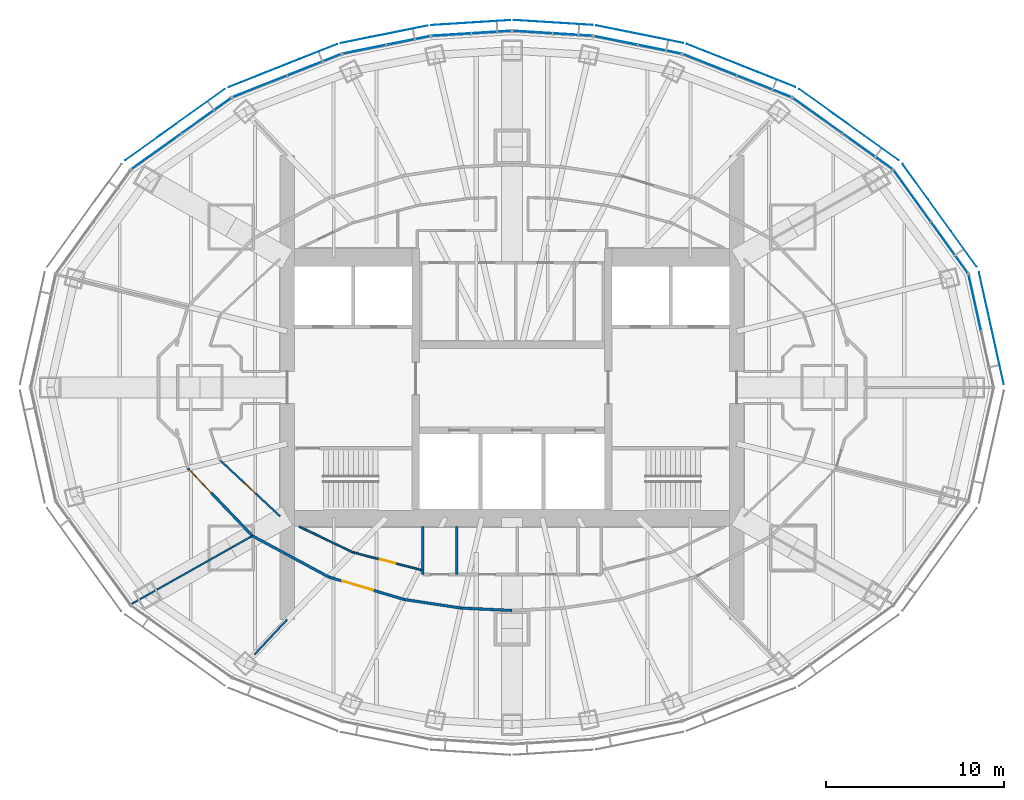
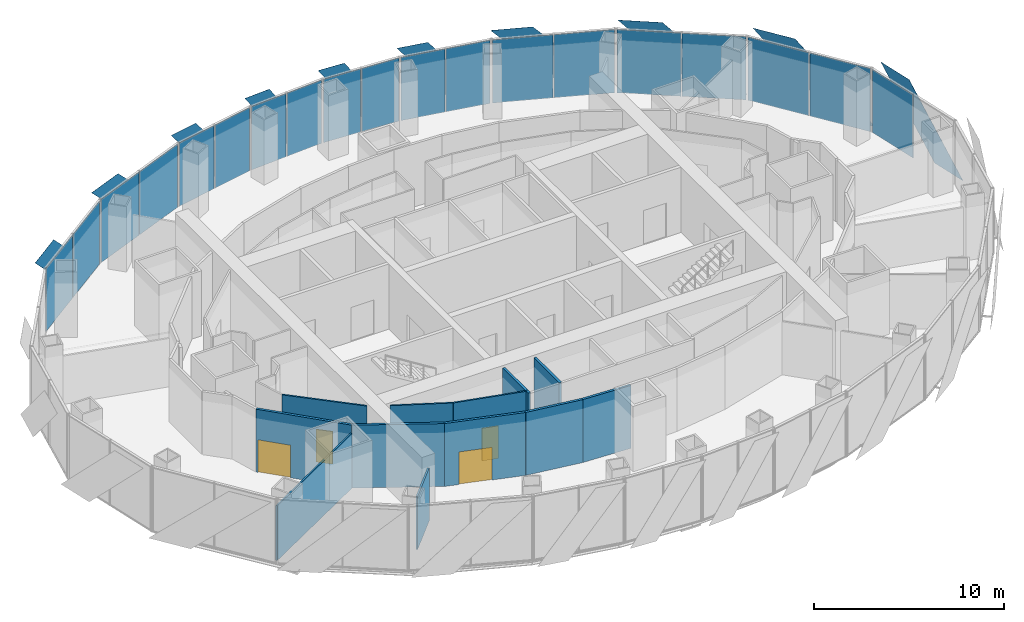
# One storey, part 11 of 17: 29 plates, 12 walls, 4 doors, 4 openings, 10 elements without a shape of their own.
"""IFC4 building model written with IfcOpenShell, lengths in metres."""

import ifcopenshell
import ifcopenshell.guid

model = None  # the IFC model being written
_history = None  # IfcOwnerHistory: only IFC2X3 demands one
_inside = {}  # id of a spatial element -> (the spatial element, [elements in it])
_under = {}  # id of a project, library or spatial element -> (it, [spatial elements below it])
_declared = {}  # id of a project -> (the project, [libraries it declares])
_typed = {}  # id of a type object -> (the type object, [elements of that type])
_made_of = {}  # id of a material, layer set ... -> (it, [elements and type objects made of it])


def new_model(schema):
    """Start an empty IFC model of exactly this schema.

    Asked for "IFC4X3", IfcOpenShell would pick the latest addendum, in which some entities
    have other attributes; the version numbers below select the first issue.
    IFC2X3 requires an IfcOwnerHistory on every rooted entity: one is made here for all.
    """
    global model, _history
    if schema == "IFC4X3":
        model = ifcopenshell.file(schema_version=(4, 3, 0, 0))
    else:
        model = ifcopenshell.file(schema=schema)
    _inside.clear()
    _under.clear()
    _declared.clear()
    _typed.clear()
    _made_of.clear()
    _history = None
    if model.schema == "IFC2X3":
        org = make("IfcOrganization", Name="unknown")
        user = make(
            "IfcPersonAndOrganization",
            ThePerson=make("IfcPerson", FamilyName="unknown"),
            TheOrganization=org,
        )
        app = make(
            "IfcApplication",
            ApplicationDeveloper=org,
            Version="unknown",
            ApplicationFullName="unknown",
            ApplicationIdentifier="unknown",
        )
        _history = make(
            "IfcOwnerHistory",
            OwningUser=user,
            OwningApplication=app,
            ChangeAction="ADDED",
            CreationDate=0,
        )
    return model


def make(cls, **values):
    """One entity of the class cls with the attributes given. An attribute that is None is left unset."""
    return model.create_entity(
        cls, **{name: value for name, value in values.items() if value is not None}
    )


def rooted(cls, **values):
    """An entity with a GlobalId (a new one), such as an element, a storey or a relation."""
    return make(cls, GlobalId=ifcopenshell.guid.new(), OwnerHistory=_history, **values)


def si_unit(unit_type, name, prefix=None):
    """IfcSIUnit, for example si_unit("LENGTHUNIT", "METRE", prefix="MILLI")."""
    return make("IfcSIUnit", UnitType=unit_type, Prefix=prefix, Name=name)


def assignment(units):
    """IfcUnitAssignment: the units of a project."""
    return None if units is None else make("IfcUnitAssignment", Units=units)


def point(xyz):
    """IfcCartesianPoint."""
    return None if xyz is None else make("IfcCartesianPoint", Coordinates=xyz)


def direction(xyz):
    """IfcDirection."""
    return None if xyz is None else make("IfcDirection", DirectionRatios=xyz)


def frame(location, z_axis=None, x_axis=None):
    """IfcAxis2Placement3D, a coordinate frame: its origin and axes. An axis left out is left unset."""
    return make(
        "IfcAxis2Placement3D",
        Location=point(location),
        Axis=direction(z_axis),
        RefDirection=direction(x_axis),
    )


def frame_2d(location, x_axis=None):
    """IfcAxis2Placement2D, a coordinate frame in the plane: its origin and x axis."""
    return make(
        "IfcAxis2Placement2D", Location=point(location), RefDirection=direction(x_axis)
    )


def origin():
    """The frame at (0, 0, 0) with its axes left unset."""
    return frame((0.0, 0.0, 0.0))


def origin_2d():
    """The frame at (0, 0) in the plane with its x axis left unset."""
    return frame_2d((0.0, 0.0))


def place(relative_to, where):
    """IfcLocalPlacement: puts the frame where relative to a parent placement (None: the world)."""
    return make(
        "IfcLocalPlacement", PlacementRelTo=relative_to, RelativePlacement=where
    )


def context(
    kind, dimensions, precision=None, world=None, true_north=None, identifier=None
):
    """IfcGeometricRepresentationContext, for example the 3D "Model" context."""
    return make(
        "IfcGeometricRepresentationContext",
        ContextIdentifier=identifier,
        ContextType=kind,
        CoordinateSpaceDimension=dimensions,
        Precision=precision,
        WorldCoordinateSystem=world,
        TrueNorth=true_north,
    )


def subcontext(parent, identifier, kind, view, scale=None):
    """IfcGeometricRepresentationSubContext, for example "Body" below "Model"."""
    return make(
        "IfcGeometricRepresentationSubContext",
        ContextIdentifier=identifier,
        ContextType=kind,
        ParentContext=parent,
        TargetScale=scale,
        TargetView=view,
    )


def project(units=None, contexts=None):
    """IfcProject with its units and contexts."""
    return rooted(
        "IfcProject",
        Name="project",
        RepresentationContexts=contexts,
        UnitsInContext=assignment(units),
    )


def spatial(cls, under=None, at=None, **own):
    """A site, building, storey or space (cls), placed at a placement, below another one or the project."""
    s = rooted(cls, ObjectPlacement=at, **own)
    if under is not None:
        _under.setdefault(under.id(), (under, []))[1].append(s)
    return s


def polyline(points):
    """IfcPolyline through the points."""
    return make("IfcPolyline", Points=[point(p) for p in points])


def profile(cls, at=None, kind="AREA", **sizes):
    """A parametric profile (cls). Its sizes go by their IFC names, for example OverallWidth=200.0."""
    return make(cls, ProfileType=kind, Position=at, **sizes)


def rectangle(**sizes):
    """IfcRectangleProfileDef."""
    return profile("IfcRectangleProfileDef", **sizes)


def outline(outer, holes=None, kind="AREA"):
    """IfcArbitraryClosedProfileDef: a profile drawn as a closed curve; with holes, ...WithVoids."""
    if holes is None:
        return make("IfcArbitraryClosedProfileDef", ProfileType=kind, OuterCurve=outer)
    return make(
        "IfcArbitraryProfileDefWithVoids",
        ProfileType=kind,
        OuterCurve=outer,
        InnerCurves=holes,
    )


def extrude(swept, where, along, depth):
    """IfcExtrudedAreaSolid: the profile swept, set in the frame where, extruded along a direction by depth."""
    return make(
        "IfcExtrudedAreaSolid",
        SweptArea=swept,
        Position=where,
        ExtrudedDirection=direction(along),
        Depth=depth,
    )


def shape(context_of_items, identifier, shape_type, items):
    """IfcShapeRepresentation: the items that make up one representation, for example the "Body"."""
    return make(
        "IfcShapeRepresentation",
        ContextOfItems=context_of_items,
        RepresentationIdentifier=identifier,
        RepresentationType=shape_type,
        Items=items,
    )


def material(Name=None, Category=None):
    """IfcMaterial."""
    return make("IfcMaterial", Name=Name, Category=Category)


def layer(
    of_material, thickness, ventilated=None, Name=None, Category=None, Priority=None
):
    """IfcMaterialLayer: one layer of a wall or slab, of a material (None: an air gap)."""
    return make(
        "IfcMaterialLayer",
        Material=of_material,
        LayerThickness=thickness,
        IsVentilated=ventilated,
        Name=Name,
        Category=Category,
        Priority=Priority,
    )


def layer_set(layers, Name=None):
    """IfcMaterialLayerSet."""
    return make("IfcMaterialLayerSet", MaterialLayers=layers, LayerSetName=Name)


def made_of(thing, what):
    """Note that an element or type object is made of a material, layer set ...; save() writes the relation."""
    if what is not None:
        _made_of.setdefault(what.id(), (what, []))[1].append(thing)
    return thing


def type_object(cls, material=None, **own):
    """A type object (cls), such as IfcWallType, which elements share."""
    return made_of(rooted(cls, **own), material)


def element(
    cls,
    number,
    at=None,
    inside=None,
    cuts=None,
    type_object=None,
    material=None,
    context=None,
    identifier="Body",
    shape_type=None,
    held_by="IfcProductDefinitionShape",
    body=None,
    shapes=None,
    **own,
):
    """One element of the class cls, such as IfcWall. Its Tag is "e" and its number.

    at: its placement. inside: the storey or other place that contains it. cuts: it is an
    opening in that element (IfcRelVoidsElement). A single representation is given by context,
    identifier, shape_type and body (its items); several are given by shapes. held_by: the class
    of the entity that holds the representations. save() writes the other relations.
    """
    e = rooted(cls, Tag="e%d" % number, ObjectPlacement=at, **own)
    if body is not None:
        shapes = [shape(context, identifier, shape_type, body)]
    if shapes is not None:
        e.Representation = make(held_by, Representations=shapes)
    if inside is not None:
        _inside.setdefault(inside.id(), (inside, []))[1].append(e)
    if cuts is not None:
        rooted(
            "IfcRelVoidsElement", RelatingBuildingElement=cuts, RelatedOpeningElement=e
        )
    if type_object is not None:
        _typed.setdefault(type_object.id(), (type_object, []))[1].append(e)
    return made_of(e, material)


def fill(opening, filler):
    """IfcRelFillsElement: the door or window that sits in an opening."""
    return rooted(
        "IfcRelFillsElement",
        RelatingOpeningElement=opening,
        RelatedBuildingElement=filler,
    )


def aggregate(whole, parts):
    """IfcRelAggregates: a whole, such as a stair, and the parts it consists of."""
    return rooted("IfcRelAggregates", RelatingObject=whole, RelatedObjects=parts)


def save(model, path):
    """Write the relations noted so far, then the file.

    IfcRelAggregates (storeys below a building ...), IfcRelContainedInSpatialStructure (elements
    in a storey), IfcRelDefinesByType, IfcRelAssociatesMaterial and IfcRelDeclares: one each for
    every whole, place, type object, material and project.
    """
    for whole, parts in _under.values():
        aggregate(whole, parts)
    for where, things in _inside.values():
        rooted(
            "IfcRelContainedInSpatialStructure",
            RelatedElements=things,
            RelatingStructure=where,
        )
    for kind, things in _typed.values():
        rooted("IfcRelDefinesByType", RelatedObjects=things, RelatingType=kind)
    for what, things in _made_of.values():
        rooted("IfcRelAssociatesMaterial", RelatedObjects=things, RelatingMaterial=what)
    for by, libraries in _declared.values():
        rooted("IfcRelDeclares", RelatingContext=by, RelatedDefinitions=libraries)
    model.write(path)


model = new_model("IFC4")

# Units and contexts
model_context = context("Model", 3, precision=1e-05, world=origin(), true_north=direction((0.0, 1.0)))
body_context = subcontext(model_context, "Body", "Model", "MODEL_VIEW")
ifc_project = project(units=[si_unit("LENGTHUNIT", "METRE"), si_unit("AREAUNIT", "SQUARE_METRE"), si_unit("VOLUMEUNIT", "CUBIC_METRE"), si_unit("PLANEANGLEUNIT", "RADIAN"), si_unit("MASSUNIT", "GRAM", prefix="KILO")], contexts=[model_context])

# Site, building, storey
site_placement = place(None, origin())
site = spatial("IfcSite", under=ifc_project, at=site_placement, CompositionType="ELEMENT")
building_placement = place(site_placement, origin())
building = spatial("IfcBuilding", under=site, at=building_placement, Name="Lantaw Convention Tower", CompositionType="ELEMENT")
storey_placement = place(building_placement, frame((0.0, 0.0, 203.199951171875)))
storey = spatial("IfcBuildingStorey", under=building, at=storey_placement, Name="L47", CompositionType="ELEMENT", Elevation=203.199951171875)

# Curtain wall, plate
ifc_material_1 = material(Name="Aluminium framed curtain wall", Category="aluminium")
curtain_wall_type = type_object("IfcCurtainWallType", Name="Office curtain wall high rise, pale aluminium", PredefinedType="USERDEFINED", material=ifc_material_1)
curtain_wall_1_placement = place(storey_placement, origin())
curtain_wall_1 = element("IfcCurtainWall", 1, at=curtain_wall_1_placement, inside=storey, type_object=curtain_wall_type, Name="Office curtain wall high rise, pale aluminium L47", ObjectType="UNITISED CURTAIN WALL", PredefinedType="USERDEFINED")
ifc_material_2 = material(Name="Clear insulating glass", Category="glass")
ifc_layer_1 = layer(ifc_material_2, 0.028076171875)
ifc_layer_set_1 = layer_set([ifc_layer_1], Name="CW-O2 panel 28")
plate_type_1 = type_object("IfcPlateType", Name="CW-O2 panel 28", PredefinedType="CURTAIN_PANEL", material=ifc_layer_set_1)
plate_1_placement = place(storey_placement, frame((25.945556640625, 4.769287109375, -0.0849609375), z_axis=(0.0, 0.0, 1.0), x_axis=(-0.215891333626, 0.976417396437, 0.0)))
plate_1 = element("IfcPlate", 2, at=plate_1_placement, type_object=plate_type_1, Name="CW-O2 panel 2.1", PredefinedType="CURTAIN_PANEL", context=body_context, shape_type="SweptSolid", body=[
    extrude(rectangle(XDim=3.169677734375, YDim=0.028076171875, at=origin_2d()), origin(), (0.0, 0.0, 1.0), 4.070068359375),
])
aggregate(curtain_wall_1, [plate_1])

# Curtain wall, plates
curtain_wall_2_placement = place(storey_placement, origin())
curtain_wall_2 = element("IfcCurtainWall", 3, at=curtain_wall_2_placement, inside=storey, type_object=curtain_wall_type, Name="Office curtain wall high rise, pale aluminium L47", ObjectType="UNITISED CURTAIN WALL", PredefinedType="USERDEFINED")
plate_2_placement = place(storey_placement, frame((24.527099609375, 7.852294921875, -0.0849609375), z_axis=(0.0, 0.0, 1.0), x_axis=(-0.585157643865, 0.810919559405, 0.0)))
plate_2 = element("IfcPlate", 4, at=plate_2_placement, type_object=plate_type_1, Name="CW-O2 panel 1.1", PredefinedType="CURTAIN_PANEL", context=body_context, shape_type="SweptSolid", body=[
    extrude(rectangle(XDim=3.500732421875, YDim=0.028076171875, at=origin_2d()), origin(), (0.0, 0.0, 1.0), 4.070068359375),
])
plate_3_placement = place(storey_placement, frame((22.4404296875, 10.743896484375, -0.0849609375), z_axis=(0.0, 0.0, 1.0), x_axis=(-0.585157643865, 0.810919559405, 0.0)))
plate_3 = element("IfcPlate", 5, at=plate_3_placement, type_object=plate_type_1, Name="CW-O2 panel 2.1", PredefinedType="CURTAIN_PANEL", context=body_context, shape_type="SweptSolid", body=[
    extrude(rectangle(XDim=3.500732421875, YDim=0.028076171875, at=origin_2d()), origin(), (0.0, 0.0, 1.0), 4.070068359375),
])
aggregate(curtain_wall_2, [plate_2, plate_3])

curtain_wall_3_placement = place(storey_placement, origin())
curtain_wall_3 = element("IfcCurtainWall", 6, at=curtain_wall_3_placement, inside=storey, type_object=curtain_wall_type, Name="Office curtain wall high rise, pale aluminium L47", ObjectType="UNITISED CURTAIN WALL", PredefinedType="USERDEFINED")
plate_4_placement = place(storey_placement, frame((19.947509765625, 13.23828125, -0.0849609375), z_axis=(0.0, 0.0, 1.0), x_axis=(-0.813672540482, 0.581323487281, 0.0)))
plate_4 = element("IfcPlate", 7, at=plate_4_placement, type_object=plate_type_1, Name="CW-O2 panel 1.1", PredefinedType="CURTAIN_PANEL", context=body_context, shape_type="SweptSolid", body=[
    extrude(rectangle(XDim=3.386474609375, YDim=0.028076171875, at=origin_2d()), origin(), (0.0, 0.0, 1.0), 4.070068359375),
])
plate_5_placement = place(storey_placement, frame((17.13916015625, 15.24462890625, -0.0849609375), z_axis=(0.0, 0.0, 1.0), x_axis=(-0.813672540482, 0.581323487281, 0.0)))
plate_5 = element("IfcPlate", 8, at=plate_5_placement, type_object=plate_type_1, Name="CW-O2 panel 2.1", PredefinedType="CURTAIN_PANEL", context=body_context, shape_type="SweptSolid", body=[
    extrude(rectangle(XDim=3.386474609375, YDim=0.028076171875, at=origin_2d()), origin(), (0.0, 0.0, 1.0), 4.070068359375),
])
aggregate(curtain_wall_3, [plate_4, plate_5])

curtain_wall_4_placement = place(storey_placement, origin())
curtain_wall_4 = element("IfcCurtainWall", 9, at=curtain_wall_4_placement, inside=storey, type_object=curtain_wall_type, Name="Office curtain wall high rise, pale aluminium L47", ObjectType="UNITISED CURTAIN WALL", PredefinedType="USERDEFINED")
plate_6_placement = place(storey_placement, frame((14.14990234375, 16.8837890625, -0.0849609375), z_axis=(0.0, 0.0, 1.0), x_axis=(-0.929761533743, 0.368162315252, 0.0)))
plate_6 = element("IfcPlate", 10, at=plate_6_placement, type_object=plate_type_1, Name="CW-O2 panel 1.1", PredefinedType="CURTAIN_PANEL", context=body_context, shape_type="SweptSolid", body=[
    extrude(rectangle(XDim=3.222900390625, YDim=0.028076171875, at=origin_2d()), origin(), (0.0, 0.0, 1.0), 4.070068359375),
])
plate_7_placement = place(storey_placement, frame((11.0927734375, 18.094482421875, -0.0849609375), z_axis=(0.0, 0.0, 1.0), x_axis=(-0.929761533743, 0.368162315252, 0.0)))
plate_7 = element("IfcPlate", 11, at=plate_7_placement, type_object=plate_type_1, Name="CW-O2 panel 2.1", PredefinedType="CURTAIN_PANEL", context=body_context, shape_type="SweptSolid", body=[
    extrude(rectangle(XDim=3.222900390625, YDim=0.028076171875, at=origin_2d()), origin(), (0.0, 0.0, 1.0), 4.070068359375),
])
aggregate(curtain_wall_4, [plate_6, plate_7])

curtain_wall_5_placement = place(storey_placement, origin())
curtain_wall_5 = element("IfcCurtainWall", 12, at=curtain_wall_5_placement, inside=storey, type_object=curtain_wall_type, Name="Office curtain wall high rise, pale aluminium L47", ObjectType="UNITISED CURTAIN WALL", PredefinedType="USERDEFINED")
plate_8_placement = place(storey_placement, frame((8.2724609375, 18.96533203125, -0.0849609375), z_axis=(0.0, 0.0, 1.0), x_axis=(-0.980366679695, 0.197183095987, 0.0)))
plate_8 = element("IfcPlate", 13, at=plate_8_placement, type_object=plate_type_1, Name="CW-O2 panel 1.1", PredefinedType="CURTAIN_PANEL", context=body_context, shape_type="SweptSolid", body=[
    extrude(rectangle(XDim=2.44384765625, YDim=0.028076171875, at=origin_2d()), origin(), (0.0, 0.0, 1.0), 4.070068359375),
])
plate_9_placement = place(storey_placement, frame((5.81298828125, 19.4599609375, -0.0849609375), z_axis=(0.0, 0.0, 1.0), x_axis=(-0.980366679695, 0.197183095987, 0.0)))
plate_9 = element("IfcPlate", 14, at=plate_9_placement, type_object=plate_type_1, Name="CW-O2 panel 2.1", PredefinedType="CURTAIN_PANEL", context=body_context, shape_type="SweptSolid", body=[
    extrude(rectangle(XDim=2.44384765625, YDim=0.028076171875, at=origin_2d()), origin(), (0.0, 0.0, 1.0), 4.070068359375),
])
aggregate(curtain_wall_5, [plate_8, plate_9])

curtain_wall_6_placement = place(storey_placement, origin())
curtain_wall_6 = element("IfcCurtainWall", 15, at=curtain_wall_6_placement, inside=storey, type_object=curtain_wall_type, Name="Office curtain wall high rise, pale aluminium L47", ObjectType="UNITISED CURTAIN WALL", PredefinedType="USERDEFINED")
plate_10_placement = place(storey_placement, frame((3.397216796875, 19.786376953125, -0.0849609375), z_axis=(0.0, 0.0, 1.0), x_axis=(-0.998028774865, 0.062757983884, 0.0)))
plate_10 = element("IfcPlate", 16, at=plate_10_placement, type_object=plate_type_1, Name="CW-O2 panel 1.1", PredefinedType="CURTAIN_PANEL", context=body_context, shape_type="SweptSolid", body=[
    extrude(rectangle(XDim=2.1826171875, YDim=0.028076171875, at=origin_2d()), origin(), (0.0, 0.0, 1.0), 4.070068359375),
])
plate_11_placement = place(storey_placement, frame((1.154052734375, 19.927490234375, -0.0849609375), z_axis=(0.0, 0.0, 1.0), x_axis=(-0.998028774865, 0.062757983884, 0.0)))
plate_11 = element("IfcPlate", 17, at=plate_11_placement, type_object=plate_type_1, Name="CW-O2 panel 2.1", PredefinedType="CURTAIN_PANEL", context=body_context, shape_type="SweptSolid", body=[
    extrude(rectangle(XDim=2.1826171875, YDim=0.028076171875, at=origin_2d()), origin(), (0.0, 0.0, 1.0), 4.070068359375),
])
aggregate(curtain_wall_6, [plate_10, plate_11])

curtain_wall_7_placement = place(storey_placement, origin())
curtain_wall_7 = element("IfcCurtainWall", 18, at=curtain_wall_7_placement, inside=storey, type_object=curtain_wall_type, Name="Office curtain wall high rise, pale aluminium L47", ObjectType="UNITISED CURTAIN WALL", PredefinedType="USERDEFINED")
plate_12_placement = place(storey_placement, frame((-1.154052734375, 19.927490234375, -0.0849609375), z_axis=(0.0, 0.0, 1.0), x_axis=(-0.998028774865, -0.062757983884, 0.0)))
plate_12 = element("IfcPlate", 19, at=plate_12_placement, type_object=plate_type_1, Name="CW-O2 panel 1.1", PredefinedType="CURTAIN_PANEL", context=body_context, shape_type="SweptSolid", body=[
    extrude(rectangle(XDim=2.1826171875, YDim=0.028076171875, at=origin_2d()), origin(), (0.0, 0.0, 1.0), 4.070068359375),
])
plate_13_placement = place(storey_placement, frame((-3.397216796875, 19.786376953125, -0.0849609375), z_axis=(0.0, 0.0, 1.0), x_axis=(-0.998028774865, -0.062757983884, 0.0)))
plate_13 = element("IfcPlate", 20, at=plate_13_placement, type_object=plate_type_1, Name="CW-O2 panel 2.1", PredefinedType="CURTAIN_PANEL", context=body_context, shape_type="SweptSolid", body=[
    extrude(rectangle(XDim=2.1826171875, YDim=0.028076171875, at=origin_2d()), origin(), (0.0, 0.0, 1.0), 4.070068359375),
])
aggregate(curtain_wall_7, [plate_12, plate_13])

curtain_wall_8_placement = place(storey_placement, origin())
curtain_wall_8 = element("IfcCurtainWall", 21, at=curtain_wall_8_placement, inside=storey, type_object=curtain_wall_type, Name="Office curtain wall high rise, pale aluminium L47", ObjectType="UNITISED CURTAIN WALL", PredefinedType="USERDEFINED")
plate_14_placement = place(storey_placement, frame((-5.81298828125, 19.4599609375, -0.0849609375), z_axis=(0.0, 0.0, 1.0), x_axis=(-0.980366679695, -0.197183095987, 0.0)))
plate_14 = element("IfcPlate", 22, at=plate_14_placement, type_object=plate_type_1, Name="CW-O2 panel 1.1", PredefinedType="CURTAIN_PANEL", context=body_context, shape_type="SweptSolid", body=[
    extrude(rectangle(XDim=2.44384765625, YDim=0.028076171875, at=origin_2d()), origin(), (0.0, 0.0, 1.0), 4.070068359375),
])
plate_15_placement = place(storey_placement, frame((-8.2724609375, 18.96533203125, -0.0849609375), z_axis=(0.0, 0.0, 1.0), x_axis=(-0.980366679695, -0.197183095987, 0.0)))
plate_15 = element("IfcPlate", 23, at=plate_15_placement, type_object=plate_type_1, Name="CW-O2 panel 2.1", PredefinedType="CURTAIN_PANEL", context=body_context, shape_type="SweptSolid", body=[
    extrude(rectangle(XDim=2.44384765625, YDim=0.028076171875, at=origin_2d()), origin(), (0.0, 0.0, 1.0), 4.070068359375),
])
aggregate(curtain_wall_8, [plate_14, plate_15])

curtain_wall_9_placement = place(storey_placement, origin())
curtain_wall_9 = element("IfcCurtainWall", 24, at=curtain_wall_9_placement, inside=storey, type_object=curtain_wall_type, Name="Office curtain wall high rise, pale aluminium L47", ObjectType="UNITISED CURTAIN WALL", PredefinedType="USERDEFINED")
plate_16_placement = place(storey_placement, frame((-11.0927734375, 18.094482421875, -0.0849609375), z_axis=(0.0, 0.0, 1.0), x_axis=(-0.929761533743, -0.368162315252, 0.0)))
plate_16 = element("IfcPlate", 25, at=plate_16_placement, type_object=plate_type_1, Name="CW-O2 panel 1.1", PredefinedType="CURTAIN_PANEL", context=body_context, shape_type="SweptSolid", body=[
    extrude(rectangle(XDim=3.222900390625, YDim=0.028076171875, at=origin_2d()), origin(), (0.0, 0.0, 1.0), 4.070068359375),
])
plate_17_placement = place(storey_placement, frame((-14.14990234375, 16.8837890625, -0.0849609375), z_axis=(0.0, 0.0, 1.0), x_axis=(-0.929761533743, -0.368162315252, 0.0)))
plate_17 = element("IfcPlate", 26, at=plate_17_placement, type_object=plate_type_1, Name="CW-O2 panel 2.1", PredefinedType="CURTAIN_PANEL", context=body_context, shape_type="SweptSolid", body=[
    extrude(rectangle(XDim=3.222900390625, YDim=0.028076171875, at=origin_2d()), origin(), (0.0, 0.0, 1.0), 4.070068359375),
])
aggregate(curtain_wall_9, [plate_16, plate_17])

curtain_wall_10_placement = place(storey_placement, origin())
curtain_wall_10 = element("IfcCurtainWall", 27, at=curtain_wall_10_placement, inside=storey, type_object=curtain_wall_type, Name="Office curtain wall high rise, pale aluminium L47", ObjectType="UNITISED CURTAIN WALL", PredefinedType="USERDEFINED")
plate_18_placement = place(storey_placement, frame((-17.13916015625, 15.24462890625, -0.0849609375), z_axis=(0.0, 0.0, 1.0), x_axis=(-0.813672540482, -0.581323487281, 0.0)))
plate_18 = element("IfcPlate", 28, at=plate_18_placement, type_object=plate_type_1, Name="CW-O2 panel 1.1", PredefinedType="CURTAIN_PANEL", context=body_context, shape_type="SweptSolid", body=[
    extrude(rectangle(XDim=3.386474609375, YDim=0.028076171875, at=origin_2d()), origin(), (0.0, 0.0, 1.0), 4.070068359375),
])
plate_19_placement = place(storey_placement, frame((-19.947509765625, 13.23828125, -0.0849609375), z_axis=(0.0, 0.0, 1.0), x_axis=(-0.813672540482, -0.581323487281, 0.0)))
plate_19 = element("IfcPlate", 29, at=plate_19_placement, type_object=plate_type_1, Name="CW-O2 panel 2.1", PredefinedType="CURTAIN_PANEL", context=body_context, shape_type="SweptSolid", body=[
    extrude(rectangle(XDim=3.386474609375, YDim=0.028076171875, at=origin_2d()), origin(), (0.0, 0.0, 1.0), 4.070068359375),
])
aggregate(curtain_wall_10, [plate_18, plate_19])

# Plates
ifc_material_3 = material(Name="Perforated aluminium sheet, pale silver finish", Category="aluminium")
ifc_layer_2 = layer(ifc_material_3, 0.006103515625)
ifc_layer_set_2 = layer_set([ifc_layer_2], Name="Perforated aluminium solar SCREEN panel")
plate_type_2 = type_object("IfcPlateType", Name="Perforated aluminium solar SCREEN panel", PredefinedType="SHEET", material=ifc_layer_set_2)
plate_20_placement = place(storey_placement, frame((27.580810546875, 0.1796875, -0.175048828125), z_axis=(0.976429511424, 0.215836529031, 4.4219438e-05), x_axis=(-0.215836529242, 0.976429512379, 0.0)))
element("IfcPlate", 30, at=plate_20_placement, inside=storey, type_object=plate_type_2, Name="Solar SCREEN panel", PredefinedType="SHEET", context=body_context, shape_type="SweptSolid", body=[
    extrude(outline(polyline([(0.0, 0.0), (2.2215525295212517, -3.3881317890172014e-21), (6.4341686174090675, 4.340087894868215), (4.212616087887817, 4.340087894868215), (0.0, 0.0)])), origin(), (0.0, 0.0, -1.0), 0.006103515625),
])
plate_21_placement = place(storey_placement, frame((26.051513671875, 6.775390625, -0.175048828125), z_axis=(-0.810892289695, -0.585195432394, 2.0458414e-05), x_axis=(-0.585195432516, 0.810892289865, 0.0)))
element("IfcPlate", 31, at=plate_21_placement, inside=storey, type_object=plate_type_2, Name="Solar SCREEN panel", PredefinedType="SHEET", context=body_context, shape_type="SweptSolid", body=[
    extrude(outline(polyline([(0.0, 0.0), (2.446848840683286, 6.776263578034403e-21), (7.09661046667572, -4.340087891533265), (4.649761625992435, -4.340087891533265), (0.0, 0.0)])), origin(), (0.0, 0.0, -1.0), 0.006103515625),
])
plate_22_placement = place(storey_placement, frame((21.689697265625, 12.73828125, -0.175048828125), z_axis=(0.581330799771, 0.813667316006, 1.0072414e-05), x_axis=(-0.813667316047, 0.5813307998, 3.02e-10)))
element("IfcPlate", 32, at=plate_22_placement, inside=storey, type_object=plate_type_2, Name="Solar SCREEN panel", PredefinedType="SHEET", context=body_context, shape_type="SweptSolid", body=[
    extrude(outline(polyline([(0.0, 0.0), (2.3691416428668504, 0.0), (6.867806096558412, 4.34008788877314), (4.498863102938644, 4.340087890202622), (0.0, 0.0)])), origin(), (0.0, 0.0, -1.0), 0.006103515625),
])
plate_23_placement = place(storey_placement, frame((15.88525390625, 16.8486328125, -0.175048828125), z_axis=(-0.368116612072, -0.929779629081, 3.5533269e-05), x_axis=(-0.929779629668, 0.368116612304, -1.786e-09)))
element("IfcPlate", 33, at=plate_23_placement, inside=storey, type_object=plate_type_2, Name="Solar SCREEN panel", PredefinedType="SHEET", context=body_context, shape_type="SweptSolid", body=[
    extrude(outline(polyline([(0.0, 0.0), (2.2578720663572183, -3.3881317890172014e-21), (6.540904465438181, -4.340087905048178), (4.282942526861161, -4.340087896982072), (0.0, 0.0)])), origin(), (0.0, 0.0, -1.0), 0.006103515625),
])
plate_24_placement = place(storey_placement, frame((9.6044921875, 19.315673828125, -0.175048828125), z_axis=(-0.197162069853, -0.980370908428, 1.0904083e-05), x_axis=(-0.980370908486, 0.197162069865, -7.55e-10)))
element("IfcPlate", 34, at=plate_24_placement, inside=storey, type_object=plate_type_2, Name="Solar SCREEN panel", PredefinedType="SHEET", context=body_context, shape_type="SweptSolid", body=[
    extrude(outline(polyline([(0.0, 0.0), (1.7279870169553606, 8.470329472543003e-22), (4.982578440602753, -4.340087894645749), (3.2545432883764285, -4.340087892035838), (0.0, 0.0)])), origin(), (0.0, 0.0, -1.0), 0.006103515625),
])
plate_25_placement = place(storey_placement, frame((4.539306640625, 20.32177734375, -0.175048828125), z_axis=(-0.062672387577, -0.998034151922, 5.858668e-05), x_axis=(-0.998034153635, 0.062672387685, 0.0)))
element("IfcPlate", 35, at=plate_25_placement, inside=storey, type_object=plate_type_2, Name="Solar SCREEN panel", PredefinedType="SHEET", context=body_context, shape_type="SweptSolid", body=[
    extrude(outline(polyline([(0.0, 0.0), (1.5504111513762302, 8.470329472543003e-22), (4.460200019412434, -4.340087898073457), (2.9097888680362036, -4.340087898073457), (0.0, 0.0)])), origin(), (0.0, 0.0, -1.0), 0.006103515625),
])
plate_26_placement = place(storey_placement, frame((-0.087890625, 20.6015625, -0.175048828125), z_axis=(-0.062672387577, 0.998034151922, 5.858668e-05), x_axis=(-0.998034153635, -0.062672387685, 0.0)))
element("IfcPlate", 36, at=plate_26_placement, inside=storey, type_object=plate_type_2, Name="Solar SCREEN panel", PredefinedType="SHEET", context=body_context, shape_type="SweptSolid", body=[
    extrude(outline(polyline([(0.0, 0.0), (1.5504111513762302, -8.470329472543003e-22), (4.460200019412434, 4.340087898073457), (2.9097888680362036, 4.340087898073457), (0.0, 0.0)])), origin(), (0.0, 0.0, -1.0), 0.006103515625),
])
plate_27_placement = place(storey_placement, frame((-4.7197265625, 20.298095703125, -0.175048828125), z_axis=(-0.197162069853, 0.980370908428, 1.0904083e-05), x_axis=(-0.980370908486, -0.197162069865, 7.55e-10)))
element("IfcPlate", 37, at=plate_27_placement, inside=storey, type_object=plate_type_2, Name="Solar SCREEN panel", PredefinedType="SHEET", context=body_context, shape_type="SweptSolid", body=[
    extrude(outline(polyline([(0.0, 0.0), (1.7280351522263238, 4.235164736271502e-22), (4.982578447157737, 4.34008788712039), (3.2545914302023755, 4.340087889730228), (0.0, 0.0)])), origin(), (0.0, 0.0, -1.0), 0.006103515625),
])
plate_28_placement = place(storey_placement, frame((-9.8037109375, 19.256591796875, -0.175048828125), z_axis=(-0.368116612072, 0.929779629081, 3.5533269e-05), x_axis=(-0.929779629668, -0.368116612304, 1.786e-09)))
element("IfcPlate", 38, at=plate_28_placement, inside=storey, type_object=plate_type_2, Name="Solar SCREEN panel", PredefinedType="SHEET", context=body_context, shape_type="SweptSolid", body=[
    extrude(outline(polyline([(0.0, 0.0), (2.257961938577019, 0.0), (6.540904480942253, 4.34008788168214), (4.283032414585035, 4.340087889747925), (0.0, 0.0)])), origin(), (0.0, 0.0, -1.0), 0.006103515625),
])
plate_29_placement = place(storey_placement, frame((-16.1015625, 16.730712890625, -0.175048828125), z_axis=(0.581330799771, -0.813667316006, 1.0072414e-05), x_axis=(-0.813667316047, -0.5813307998, -3.02e-10)))
element("IfcPlate", 39, at=plate_29_placement, inside=storey, type_object=plate_type_2, Name="Solar SCREEN panel", PredefinedType="SHEET", context=body_context, shape_type="SweptSolid", body=[
    extrude(outline(polyline([(0.0, 0.0), (2.3689429936197683, -1.6940658945086007e-21), (6.867806093939489, -4.340087892917353), (4.498664451072639, -4.340087891487751), (0.0, 0.0)])), origin(), (0.0, 0.0, -1.0), 0.006103515625),
])

# Wall, opening, door
ifc_material_4 = material(Name="Gypsum board on steel studs, fire rated", Category="steel")
ifc_layer_3 = layer(ifc_material_4, 0.14990234375)
ifc_layer_set_3 = layer_set([ifc_layer_3], Name="Corridor wall 150 EI 60")
wall_type_1 = type_object("IfcWallType", Name="Corridor wall 150 EI 60", PredefinedType="PARTITIONING", material=ifc_layer_set_3)
wall_1_placement = place(storey_placement, frame((-18.173583984375, -4.53125, 0.0), z_axis=(0.0, 0.0, 1.0), x_axis=(0.690768413292, -0.723076067366, 0.0)))
wall_1 = element("IfcWall", 40, at=wall_1_placement, inside=storey, type_object=wall_type_1, Name="Corridor wall 150", PredefinedType="PARTITIONING", context=body_context, shape_type="SweptSolid", body=[
    extrude(rectangle(XDim=5.23681640625, YDim=0.14990234375, at=frame_2d((2.618408203125, 0.0))), origin(), (0.0, 0.0, 1.0), 4.050048828125),
])
opening_1_placement = place(wall_1_placement, frame((0.10009765625, 0.0, 0.0)))
opening_1 = element("IfcOpeningElement", 41, at=opening_1_placement, cuts=wall_1, Name="Opening L47.33", PredefinedType="OPENING", context=body_context, shape_type="SweptSolid", body=[
    extrude(rectangle(XDim=1.800048828125, YDim=2.10009765625, at=frame_2d((0.89990234375, 1.050048828125))), frame((0.0, 0.0849609375, 0.0), z_axis=(0.0, -1.0, 0.0), x_axis=(1.0, 0.0, 0.0)), (0.0, 0.0, 1.0), 0.169921875),
])
ifc_material_5 = material(Name="Steel, fire rated", Category="steel")
door_type_1 = type_object("IfcDoorType", Name="Office double door 1800 FD30", OperationType="DOUBLE_DOOR_DOUBLE_SWING", PredefinedType="DOOR", material=ifc_material_5)
door_1_placement = place(opening_1_placement, origin())
door_1 = element("IfcDoor", 42, at=door_1_placement, inside=storey, type_object=door_type_1, Name="Boardroom door", OperationType="DOUBLE_DOOR_DOUBLE_SWING", OverallHeight=2.10009765625, OverallWidth=1.800048828125, PredefinedType="DOOR", context=body_context, shape_type="SweptSolid", body=[
    extrude(rectangle(XDim=1.800048828125, YDim=2.10009765625, at=frame_2d((0.89990234375, 1.050048828125))), frame((0.0, 0.02490234375, 0.0), z_axis=(0.0, -1.0, 0.0), x_axis=(1.0, 0.0, 0.0)), (0.0, 0.0, 1.0), 0.050048828125),
])
fill(opening_1, door_1)

# Wall
wall_2_placement = place(storey_placement, frame((-14.55615234375, -8.31787109375, 0.0), z_axis=(0.0, 0.0, 1.0), x_axis=(0.88053863253, -0.47397438393, 0.0)))
element("IfcWall", 43, at=wall_2_placement, inside=storey, type_object=wall_type_1, Name="Corridor wall 150", PredefinedType="PARTITIONING", context=body_context, shape_type="SweptSolid", body=[
    extrude(rectangle(XDim=4.874755859375, YDim=0.14990234375, at=frame_2d((2.4375, 0.0))), origin(), (0.0, 0.0, 1.0), 4.050048828125),
])

# Wall, opening, door
wall_3_placement = place(storey_placement, frame((-10.263671875, -10.62841796875, 0.0), z_axis=(0.0, 0.0, 1.0), x_axis=(0.958384389306, -0.285480931648, 0.0)))
wall_3 = element("IfcWall", 44, at=wall_3_placement, inside=storey, type_object=wall_type_1, Name="Corridor wall 150", PredefinedType="PARTITIONING", context=body_context, shape_type="SweptSolid", body=[
    extrude(rectangle(XDim=4.392333984375, YDim=0.14990234375, at=frame_2d((2.1962890625, 0.0))), origin(), (0.0, 0.0, 1.0), 4.050048828125),
])
opening_2_placement = place(wall_3_placement, frame((0.775146484375, 0.0, 0.0)))
opening_2 = element("IfcOpeningElement", 45, at=opening_2_placement, cuts=wall_3, Name="Opening L47.34", PredefinedType="OPENING", context=body_context, shape_type="SweptSolid", body=[
    extrude(rectangle(XDim=1.800048828125, YDim=2.10009765625, at=frame_2d((0.89990234375, 1.050048828125))), frame((0.0, 0.0849609375, 0.0), z_axis=(0.0, -1.0, 0.0), x_axis=(1.0, 0.0, 0.0)), (0.0, 0.0, 1.0), 0.169921875),
])
door_2_placement = place(opening_2_placement, origin())
door_2 = element("IfcDoor", 46, at=door_2_placement, inside=storey, type_object=door_type_1, Name="Open office door", OperationType="DOUBLE_DOOR_DOUBLE_SWING", OverallHeight=2.10009765625, OverallWidth=1.800048828125, PredefinedType="DOOR", context=body_context, shape_type="SweptSolid", body=[
    extrude(rectangle(XDim=1.800048828125, YDim=2.10009765625, at=frame_2d((0.89990234375, 1.050048828125))), frame((0.0, 0.02490234375, 0.0), z_axis=(0.0, -1.0, 0.0), x_axis=(1.0, 0.0, 0.0)), (0.0, 0.0, 1.0), 0.050048828125),
])
fill(opening_2, door_2)

# Walls
wall_4_placement = place(storey_placement, frame((-6.05419921875, -11.88232421875, 0.0), z_axis=(0.0, 0.0, 1.0), x_axis=(0.988800347251, -0.149244340852, 0.0)))
element("IfcWall", 47, at=wall_4_placement, inside=storey, type_object=wall_type_1, Name="Corridor wall 150", PredefinedType="PARTITIONING", context=body_context, shape_type="SweptSolid", body=[
    extrude(rectangle(XDim=3.235595703125, YDim=0.14990234375, at=frame_2d((1.61767578125, 0.0))), origin(), (0.0, 0.0, 1.0), 4.050048828125),
])
wall_5_placement = place(storey_placement, frame((-2.854736328125, -12.365234375, 0.0), z_axis=(0.0, 0.0, 1.0), x_axis=(0.998887574055, -0.047155216016, 0.0)))
element("IfcWall", 48, at=wall_5_placement, inside=storey, type_object=wall_type_1, Name="Corridor wall 150", PredefinedType="PARTITIONING", context=body_context, shape_type="SweptSolid", body=[
    extrude(rectangle(XDim=2.85791015625, YDim=0.14990234375, at=frame_2d((1.428955078125, 0.0))), origin(), (0.0, 0.0, 1.0), 4.050048828125),
])
ifc_material_6 = material(Name="Gypsum board on steel studs, acoustic", Category="steel")
ifc_layer_4 = layer(ifc_material_6, 0.10009765625)
ifc_layer_set_4 = layer_set([ifc_layer_4], Name="Office partition 100")
wall_type_2 = type_object("IfcWallType", Name="Office partition 100", PredefinedType="PARTITIONING", material=ifc_layer_set_4)
wall_6_placement = place(storey_placement, frame((-21.3583984375, -12.149658203125, 0.0), z_axis=(0.0, 0.0, 1.0), x_axis=(0.871273053995, 0.490798599614, 0.0)))
element("IfcWall", 49, at=wall_6_placement, inside=storey, type_object=wall_type_2, Name="Office partition 100", PredefinedType="PARTITIONING", context=body_context, shape_type="SweptSolid", body=[
    extrude(rectangle(XDim=7.80712890625, YDim=0.10009765625, at=frame_2d((3.903564453125, 0.0))), origin(), (0.0, 0.0, 1.0), 3.524169921875),
])

# Wall, opening, door
wall_7_placement = place(storey_placement, frame((-13.0, -7.22216796875, 0.0), z_axis=(0.0, 0.0, 1.0), x_axis=(-0.730651186567, 0.682750938167, 0.0)))
wall_7 = element("IfcWall", 50, at=wall_7_placement, inside=storey, type_object=wall_type_2, Name="Office partition 100", PredefinedType="PARTITIONING", context=body_context, shape_type="SweptSolid", body=[
    extrude(rectangle(XDim=4.6025390625, YDim=0.10009765625, at=frame_2d((2.30126953125, 0.0))), origin(), (0.0, 0.0, 1.0), 4.050048828125),
])
opening_3_placement = place(wall_7_placement, frame((1.851318359375, 0.0, 0.0)))
opening_3 = element("IfcOpeningElement", 51, at=opening_3_placement, cuts=wall_7, Name="Opening L47.22", PredefinedType="OPENING", context=body_context, shape_type="SweptSolid", body=[
    extrude(rectangle(XDim=0.89990234375, YDim=2.10009765625, at=frame_2d((0.449951171875, 1.050048828125))), frame((0.0, 0.06005859375, 0.0), z_axis=(0.0, -1.0, 0.0), x_axis=(1.0, 0.0, 0.0)), (0.0, 0.0, 1.0), 0.1201171875),
])
ifc_material_7 = material(Name="Timber", Category="wood")
door_type_2 = type_object("IfcDoorType", Name="Office door 900", OperationType="SINGLE_SWING_LEFT", PredefinedType="DOOR", material=ifc_material_7)
door_3_placement = place(opening_3_placement, origin())
door_3 = element("IfcDoor", 52, at=door_3_placement, inside=storey, type_object=door_type_2, Name="Meeting room door", OperationType="SINGLE_SWING_LEFT", OverallHeight=2.10009765625, OverallWidth=0.89990234375, PredefinedType="DOOR", context=body_context, shape_type="SweptSolid", body=[
    extrude(rectangle(XDim=0.89990234375, YDim=2.10009765625, at=frame_2d((0.449951171875, 1.050048828125))), frame((0.0, 0.02490234375, 0.0), z_axis=(0.0, -1.0, 0.0), x_axis=(1.0, 0.0, 0.0)), (0.0, 0.0, 1.0), 0.050048828125),
])
fill(opening_3, door_3)

wall_8_placement = place(storey_placement, frame((-5.0, -10.254150390625, 0.0), z_axis=(0.0, 0.0, 1.0), x_axis=(-0.968224167198, 0.250083910027, 0.0)))
wall_8 = element("IfcWall", 53, at=wall_8_placement, inside=storey, type_object=wall_type_2, Name="Office partition 100", PredefinedType="PARTITIONING", context=body_context, shape_type="SweptSolid", body=[
    extrude(rectangle(XDim=4.05224609375, YDim=0.10009765625, at=frame_2d((2.026123046875, 0.0))), origin(), (0.0, 0.0, 1.0), 4.050048828125),
])
opening_4_placement = place(wall_8_placement, frame((1.576171875, 0.0, 0.0)))
opening_4 = element("IfcOpeningElement", 54, at=opening_4_placement, cuts=wall_8, Name="Opening L47.23", PredefinedType="OPENING", context=body_context, shape_type="SweptSolid", body=[
    extrude(rectangle(XDim=0.89990234375, YDim=2.10009765625, at=frame_2d((0.449951171875, 1.050048828125))), frame((0.0, 0.06005859375, 0.0), z_axis=(0.0, -1.0, 0.0), x_axis=(1.0, 0.0, 0.0)), (0.0, 0.0, 1.0), 0.1201171875),
])
door_4_placement = place(opening_4_placement, origin())
door_4 = element("IfcDoor", 55, at=door_4_placement, inside=storey, type_object=door_type_2, Name="Project room door", OperationType="SINGLE_SWING_LEFT", OverallHeight=2.10009765625, OverallWidth=0.89990234375, PredefinedType="DOOR", context=body_context, shape_type="SweptSolid", body=[
    extrude(rectangle(XDim=0.89990234375, YDim=2.10009765625, at=frame_2d((0.449951171875, 1.050048828125))), frame((0.0, 0.02490234375, 0.0), z_axis=(0.0, -1.0, 0.0), x_axis=(1.0, 0.0, 0.0)), (0.0, 0.0, 1.0), 0.050048828125),
])
fill(opening_4, door_4)

# Walls
wall_9_placement = place(storey_placement, frame((-8.923583984375, -9.24072265625, 0.0), z_axis=(0.0, 0.0, 1.0), x_axis=(-0.901553947207, 0.432666708073, 0.0)))
element("IfcWall", 56, at=wall_9_placement, inside=storey, type_object=wall_type_2, Name="Office partition 100", PredefinedType="PARTITIONING", context=body_context, shape_type="SweptSolid", body=[
    extrude(rectangle(XDim=3.329833984375, YDim=0.10009765625, at=frame_2d((1.6650390625, 0.0))), origin(), (0.0, 0.0, 1.0), 4.050048828125),
])
wall_10_placement = place(storey_placement, frame((-12.60009765625, -13.0, 0.0), z_axis=(0.0, 0.0, 1.0), x_axis=(-0.682434118301, -0.730947107648, 0.0)))
element("IfcWall", 57, at=wall_10_placement, inside=storey, type_object=wall_type_2, Name="Office partition 100", PredefinedType="PARTITIONING", context=body_context, shape_type="SweptSolid", body=[
    extrude(rectangle(XDim=2.702392578125, YDim=0.10009765625, at=frame_2d((1.35107421875, 0.0))), origin(), (0.0, 0.0, 1.0), 3.409912109375),
])
ifc_material_8 = material(Name="Concrete blockwork", Category="masonry")
ifc_layer_5 = layer(ifc_material_8, 0.14990234375)
ifc_layer_set_5 = layer_set([ifc_layer_5], Name="WC wall 150")
wall_type_3 = type_object("IfcWallType", Name="WC wall 150", PredefinedType="SOLIDWALL", material=ifc_layer_set_5)
for number, where, z_axis, x_axis, name in (
    (58, (-5.0, -7.800048828125, 0.0), (0.0, 0.0, 1.0), (0.0, -1.0, 0.0), "WC wall 150"),
    (59, (-3.10009765625, -7.800048828125, 0.0), (0.0, 0.0, 1.0), (0.0, -1.0, 0.0), "WC wall 150"),
):
    element("IfcWall", number, at=place(storey_placement, frame(where, z_axis=z_axis, x_axis=x_axis)), inside=storey, type_object=wall_type_3, Name=name, PredefinedType="SOLIDWALL", context=body_context, shape_type="SweptSolid", body=[
        extrude(rectangle(XDim=2.681884765625, YDim=0.14990234375, at=frame_2d((1.3408203125, 0.0))), origin(), (0.0, 0.0, 1.0), 4.050048828125),
    ])

save(model, "model.ifc")
